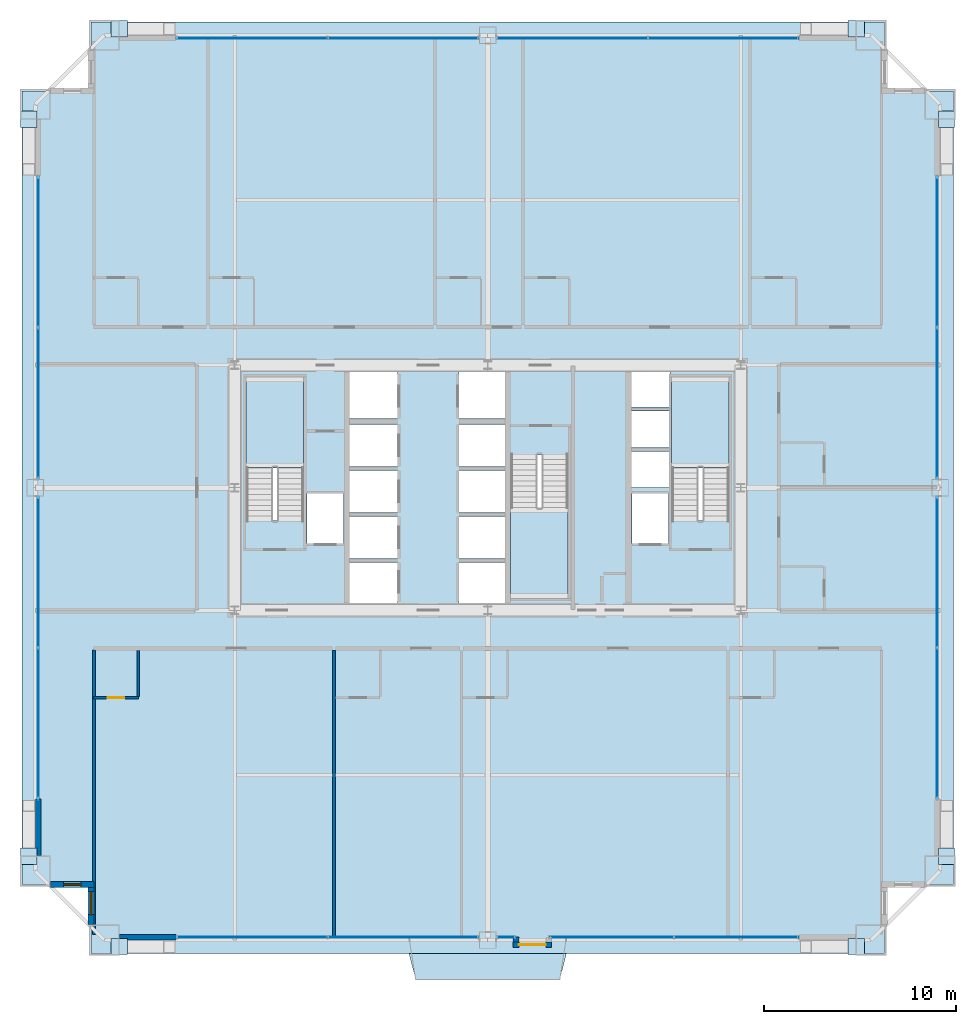
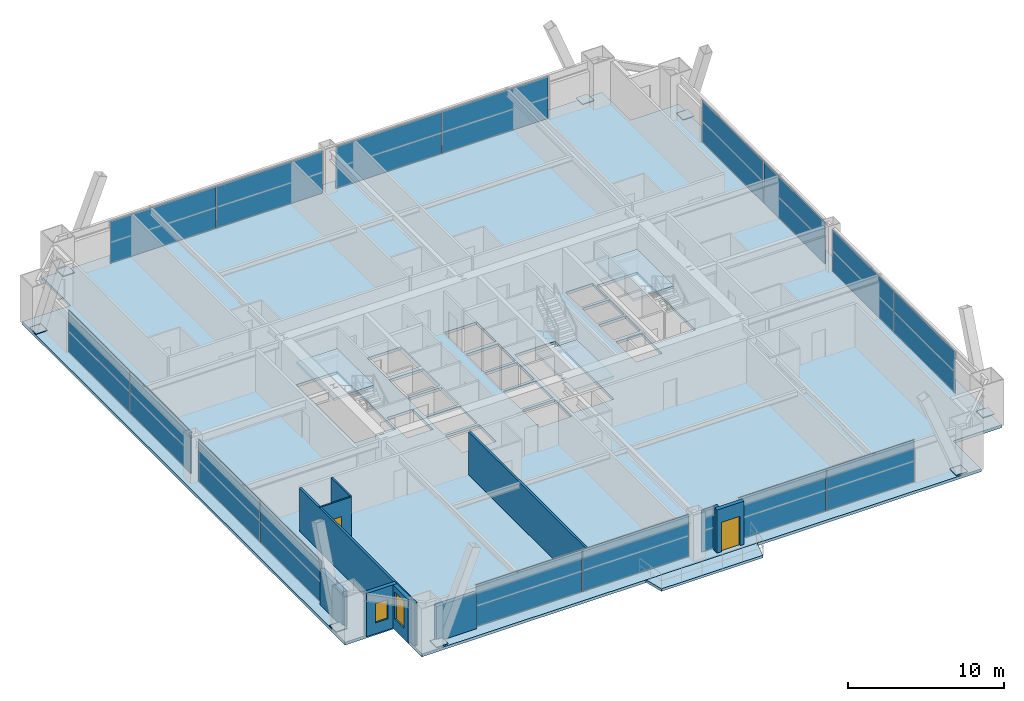
# One storey, part 36 of 41: 25 plates, 10 walls, 5 slabs, 2 doors, 2 windows, 4 openings, 12 elements without a shape of their own.
"""IFC4 building model written with IfcOpenShell, lengths in metres."""

from ifc_helpers import new_model, si_unit, direction, frame, frame_2d, origin, origin_2d, place, context, subcontext, project, spatial, polyline, rectangle, outline, extrude, source, transform, mapped, material, layer, layer_set, type_object, element, fill, aggregate, save


model = new_model("IFC4")

# Units and contexts
model_context = context("Model", 3, precision=1e-05, world=origin(), true_north=direction((0.0, 1.0)))
body_context = subcontext(model_context, "Body", "Model", "MODEL_VIEW")
ifc_project = project(units=[si_unit("LENGTHUNIT", "METRE"), si_unit("AREAUNIT", "SQUARE_METRE"), si_unit("VOLUMEUNIT", "CUBIC_METRE"), si_unit("PLANEANGLEUNIT", "RADIAN"), si_unit("MASSUNIT", "GRAM", prefix="KILO"), si_unit("THERMODYNAMICTEMPERATUREUNIT", "KELVIN"), si_unit("POWERUNIT", "WATT")], contexts=[model_context])

# Site, building, storey
site_placement = place(None, origin())
site = spatial("IfcSite", under=ifc_project, at=site_placement, CompositionType="ELEMENT")
building_placement = place(site_placement, origin())
building = spatial("IfcBuilding", under=site, at=building_placement, Name="Yuzanri Waterfront Tower", CompositionType="ELEMENT")
storey_placement = place(building_placement, frame((0.0, 0.0, 122.60009765625)))
storey = spatial("IfcBuildingStorey", under=building, at=storey_placement, Name="L32", CompositionType="ELEMENT", Elevation=122.60009765625)

# Slab
ifc_material_1 = material(Name="Concrete C40", Category="concrete")
ifc_layer_1 = layer(ifc_material_1, 0.199951171875)
ifc_layer_set_1 = layer_set([ifc_layer_1], Name="Concrete C40")
slab_type_1 = type_object("IfcSlabType", Name="Concrete C40 Cantilevered Engawa Wave Terrace Slab 200", PredefinedType="FLOOR", material=ifc_layer_set_1)
slab_1_placement = place(storey_placement, frame((0.0, 0.0, -0.2001953125)))
element("IfcSlab", 1, at=slab_1_placement, inside=storey, type_object=slab_type_1, Name="L32 S Cantilevered Engawa Terrace Slab", PredefinedType="FLOOR", context=body_context, shape_type="SweptSolid", body=[
    extrude(outline(polyline([(32.892578125, 1.5), (41.107421875, 1.5), (40.757568359375, 0.14208984375), (33.242431640625, 0.14208984375), (32.892578125, 1.5)])), origin(), (0.0, 0.0, 1.0), 0.2001953125),
])

# Stair, slab
ifc_material_2 = material(Name="Concrete C40", Category="concrete")
stair_type = type_object("IfcStairType", Name="Concrete C40 Core Dogleg Exit Stair", PredefinedType="HALF_TURN_STAIR", material=ifc_material_2)
stair_1_placement = place(storey_placement, origin())
stair_1 = element("IfcStair", 2, at=stair_1_placement, inside=storey, type_object=stair_type, Name="L32 Smoke-Proof Core Stair ST-01", PredefinedType="HALF_TURN_STAIR")
ifc_material_3 = material(Name="Concrete C40", Category="concrete")
ifc_layer_2 = layer(ifc_material_3, 0.179931640625)
ifc_layer_set_2 = layer_set([ifc_layer_2], Name="Concrete C40")
slab_type_2 = type_object("IfcSlabType", Name="Concrete C40 Stair Half-Landing Slab 180", PredefinedType="LANDING", material=ifc_layer_set_2)
slab_2_placement = place(storey_placement, frame((0.0, 0.0, 1.599853515625)))
slab_2 = element("IfcSlab", 3, at=slab_2_placement, type_object=slab_type_2, Name="ST-01 landing 1", PredefinedType="LANDING", context=body_context, shape_type="SweptSolid", body=[
    extrude(outline(polyline([(27.39990234375, 26.840087890625), (27.39990234375, 31.580078125), (24.39990234375, 31.580078125), (24.39990234375, 26.840087890625), (27.39990234375, 26.840087890625)])), origin(), (0.0, 0.0, 1.0), 0.199951171875),
])
aggregate(stair_1, [slab_2])

stair_2_placement = place(storey_placement, origin())
stair_2 = element("IfcStair", 4, at=stair_2_placement, inside=storey, type_object=stair_type, Name="L32 Smoke-Proof Core Stair ST-02", PredefinedType="HALF_TURN_STAIR")
slab_3_placement = place(storey_placement, frame((0.0, 0.0, 1.599853515625)))
slab_3 = element("IfcSlab", 5, at=slab_3_placement, type_object=slab_type_2, Name="ST-02 landing 1", PredefinedType="LANDING", context=body_context, shape_type="SweptSolid", body=[
    extrude(outline(polyline([(49.60009765625, 26.840087890625), (49.60009765625, 31.580078125), (46.60009765625, 31.580078125), (46.60009765625, 26.840087890625), (49.60009765625, 26.840087890625)])), origin(), (0.0, 0.0, 1.0), 0.199951171875),
])
aggregate(stair_2, [slab_3])

stair_3_placement = place(storey_placement, origin())
stair_3 = element("IfcStair", 6, at=stair_3_placement, inside=storey, type_object=stair_type, Name="L32 Smoke-Proof Core Stair ST-03", PredefinedType="HALF_TURN_STAIR")
slab_4_placement = place(storey_placement, frame((0.0, 0.0, 1.599853515625)))
slab_4 = element("IfcSlab", 7, at=slab_4_placement, type_object=slab_type_2, Name="ST-03 landing 1", PredefinedType="LANDING", context=body_context, shape_type="SweptSolid", body=[
    extrude(outline(polyline([(38.199951171875, 24.760009765625), (38.199951171875, 20.02001953125), (41.199951171875, 20.02001953125), (41.199951171875, 24.760009765625), (38.199951171875, 24.760009765625)])), origin(), (0.0, 0.0, 1.0), 0.199951171875),
])
aggregate(stair_3, [slab_4])

# Slab
ifc_material_4 = material(Name="Concrete C40", Category="concrete")
ifc_layer_3 = layer(ifc_material_4, 0.219970703125)
ifc_layer_set_3 = layer_set([ifc_layer_3], Name="Concrete C40")
slab_type_3 = type_object("IfcSlabType", Name="Concrete C40 Tower Typical Structural Floor Slab 220", PredefinedType="FLOOR", material=ifc_layer_set_3)
slab_5_placement = place(storey_placement, frame((0.0, 0.0, -0.22021484375)))
element("IfcSlab", 8, at=slab_5_placement, inside=storey, type_object=slab_type_3, Name="L32 Main Structural Floor Slab", PredefinedType="FLOOR", context=body_context, shape_type="SweptSolid", body=[
    extrude(outline(polyline([(16.300048828125, 1.5), (57.699951171875, 1.5), (57.699951171875, 5.10009765625), (61.300048828125, 5.10009765625), (61.300048828125, 46.5), (57.699951171875, 46.5), (57.699951171875, 50.10009765625), (16.300048828125, 50.10009765625), (16.300048828125, 46.5), (12.699951171875, 46.5), (12.699951171875, 5.10009765625), (16.300048828125, 5.10009765625), (16.300048828125, 1.5)]), holes=[polyline([(27.39990234375, 24.10009765625), (27.39990234375, 31.580078125), (24.39990234375, 31.580078125), (24.39990234375, 24.10009765625), (27.39990234375, 24.10009765625)]), polyline([(49.60009765625, 24.10009765625), (49.60009765625, 31.580078125), (46.60009765625, 31.580078125), (46.60009765625, 24.10009765625), (49.60009765625, 24.10009765625)]), polyline([(38.199951171875, 27.5), (38.199951171875, 20.02001953125), (41.199951171875, 20.02001953125), (41.199951171875, 27.5), (38.199951171875, 27.5)]), polyline([(27.56005859375, 22.89990234375), (29.47998046875, 22.89990234375), (29.47998046875, 25.5), (27.56005859375, 25.5), (27.56005859375, 22.89990234375)]), polyline([(44.52001953125, 22.89990234375), (46.43994140625, 22.89990234375), (46.43994140625, 25.5), (44.52001953125, 25.5), (44.52001953125, 22.89990234375)]), polyline([(29.800048828125, 19.699951171875), (32.300048828125, 19.699951171875), (32.300048828125, 21.89990234375), (29.800048828125, 21.89990234375), (29.800048828125, 19.699951171875)]), polyline([(29.800048828125, 22.10009765625), (32.300048828125, 22.10009765625), (32.300048828125, 24.300048828125), (29.800048828125, 24.300048828125), (29.800048828125, 22.10009765625)]), polyline([(29.800048828125, 24.5), (32.300048828125, 24.5), (32.300048828125, 26.699951171875), (29.800048828125, 26.699951171875), (29.800048828125, 24.5)]), polyline([(29.800048828125, 26.89990234375), (32.300048828125, 26.89990234375), (32.300048828125, 29.10009765625), (29.800048828125, 29.10009765625), (29.800048828125, 26.89990234375)]), polyline([(29.800048828125, 29.39990234375), (32.300048828125, 29.39990234375), (32.300048828125, 31.89990234375), (29.800048828125, 31.89990234375), (29.800048828125, 29.39990234375)]), polyline([(35.5, 19.699951171875), (37.89990234375, 19.699951171875), (37.89990234375, 21.89990234375), (35.5, 21.89990234375), (35.5, 19.699951171875)]), polyline([(35.5, 22.10009765625), (37.89990234375, 22.10009765625), (37.89990234375, 24.300048828125), (35.5, 24.300048828125), (35.5, 22.10009765625)]), polyline([(35.5, 24.5), (37.89990234375, 24.5), (37.89990234375, 26.699951171875), (35.5, 26.699951171875), (35.5, 24.5)]), polyline([(35.5, 26.89990234375), (37.89990234375, 26.89990234375), (37.89990234375, 29.10009765625), (35.5, 29.10009765625), (35.5, 26.89990234375)]), polyline([(35.5, 29.39990234375), (37.89990234375, 29.39990234375), (37.89990234375, 31.89990234375), (35.5, 31.89990234375), (35.5, 29.39990234375)]), polyline([(44.5, 25.800048828125), (46.5, 25.800048828125), (46.5, 27.699951171875), (44.5, 27.699951171875), (44.5, 25.800048828125)]), polyline([(44.5, 27.89990234375), (46.5, 27.89990234375), (46.5, 29.800048828125), (44.5, 29.800048828125), (44.5, 27.89990234375)]), polyline([(44.5, 30.0), (46.5, 30.0), (46.5, 31.89990234375), (44.5, 31.89990234375), (44.5, 30.0)])]), origin(), (0.0, 0.0, 1.0), 0.22021484375),
])

# Plates
ifc_material_5 = material(Name="Steel Q420GJC", Category="steel")
ifc_layer_4 = layer(ifc_material_5, 0.0400390625)
ifc_layer_set_4 = layer_set([ifc_layer_4], Name="Steel Q420GJC")
plate_type_1 = type_object("IfcPlateType", Name="Steel Q420GJC Mega-Brace Gusset and End-Cap Plate 40", PredefinedType="SHEET", material=ifc_layer_set_4)
shared_shape_1 = source(origin(), body_context, "Body", "SweptSolid", [
    extrude(rectangle(XDim=0.85009765625, YDim=0.85009765625, at=origin_2d()), origin(), (0.0, 0.0, 1.0), 0.0400390625),
])
for number, where, z_axis, x_axis, name in (
    (9, (17.780029296875, 1.860107421875, 0.159912109375), (0.0, 0.0, 1.0), (1.0, 0.0, 0.0), "L32 Mega-Brace Foot Cap Plate S-L"),
    (10, (56.219970703125, 1.860107421875, 0.159912109375), (0.0, 0.0, 1.0), (1.0, 0.0, 0.0), "L32 Mega-Brace Foot Cap Plate S-R"),
    (11, (17.780029296875, 49.739990234375, 0.159912109375), (0.0, 0.0, 1.0), (1.0, 0.0, 0.0), "L32 Mega-Brace Foot Cap Plate N-L"),
    (12, (56.219970703125, 49.739990234375, 0.159912109375), (0.0, 0.0, 1.0), (1.0, 0.0, 0.0), "L32 Mega-Brace Foot Cap Plate N-R"),
    (13, (13.06005859375, 6.580078125, 0.159912109375), (0.0, 0.0, 1.0), (1.0, 0.0, 0.0), "L32 Mega-Brace Foot Cap Plate W-L"),
    (14, (13.06005859375, 45.02001953125, 0.159912109375), (0.0, 0.0, 1.0), (1.0, 0.0, 0.0), "L32 Mega-Brace Foot Cap Plate W-R"),
    (15, (60.93994140625, 6.580078125, 0.159912109375), (0.0, 0.0, 1.0), (1.0, 0.0, 0.0), "L32 Mega-Brace Foot Cap Plate E-L"),
    (16, (60.93994140625, 45.02001953125, 0.159912109375), (0.0, 0.0, 1.0), (1.0, 0.0, 0.0), "L32 Mega-Brace Foot Cap Plate E-R"),
):
    element("IfcPlate", number, at=place(storey_placement, frame(where, z_axis=z_axis, x_axis=x_axis)), inside=storey, type_object=plate_type_1, Name=name, PredefinedType="SHEET", context=body_context, shape_type="MappedRepresentation", body=[
        mapped(shared_shape_1, transform((0.0, 0.0, 0.0), scale=1.0)),
    ])

# Curtain wall, plates
ifc_material_6 = material(Name="Anodized Architectural Bronze", Category="metal")
ifc_layer_5 = layer(ifc_material_6, 0.159912109375)
ifc_layer_set_5 = layer_set([ifc_layer_5], Name="Anodized Architectural Bronze")
curtain_wall_type = type_object("IfcCurtainWallType", Name="Anodized Bronze Hotel Upper-Tier Solar-Control Unitized Curtain Wall 7800", PredefinedType="NOTDEFINED", material=ifc_layer_set_5)
curtain_wall_1_placement = place(storey_placement, origin())
curtain_wall_1 = element("IfcCurtainWall", 17, at=curtain_wall_1_placement, inside=storey, type_object=curtain_wall_type, Name="L32 Curtain Wall CW-L32-SL", PredefinedType="NOTDEFINED")
ifc_material_7 = material(Name="Double-Silver Low-E Insulated Glass", Category="glass")
ifc_layer_6 = layer(ifc_material_7, 0.035888671875)
ifc_layer_set_6 = layer_set([ifc_layer_6], Name="Double-Silver Low-E Insulated Glass")
plate_type_2 = type_object("IfcPlateType", Name="Double Silver Low-E Insulated Vision Glass Panel 36", PredefinedType="CURTAIN_PANEL", material=ifc_layer_set_6)
shared_shape_2 = source(origin(), body_context, "Body", "SweptSolid", [
    extrude(rectangle(XDim=7.820068359375, YDim=0.035888671875, at=origin_2d()), origin(), (0.0, 0.0, 1.0), 3.280029296875),
])
plate_1_placement = place(storey_placement, frame((24.699951171875, 2.35009765625, 0.0498046875), z_axis=(0.0, 0.0, 1.0), x_axis=(1.0, 0.0, 0.0)))
plate_1 = element("IfcPlate", 18, at=plate_1_placement, type_object=plate_type_2, Name="CW-L32-SL Vision Glass Panel 01", PredefinedType="CURTAIN_PANEL", context=body_context, shape_type="MappedRepresentation", body=[
    mapped(shared_shape_2, transform((0.0, 0.0, 0.0), scale=1.0)),
])
plate_2_placement = place(storey_placement, frame((32.60009765625, 2.35009765625, 0.0498046875), z_axis=(0.0, 0.0, 1.0), x_axis=(1.0, 0.0, 0.0)))
plate_2 = element("IfcPlate", 19, at=plate_2_placement, type_object=plate_type_2, Name="CW-L32-SL Vision Glass Panel 02", PredefinedType="CURTAIN_PANEL", context=body_context, shape_type="MappedRepresentation", body=[
    mapped(shared_shape_2, transform((0.0, 0.0, 0.0), scale=1.0)),
])
aggregate(curtain_wall_1, [plate_1, plate_2])

curtain_wall_2_placement = place(storey_placement, origin())
curtain_wall_2 = element("IfcCurtainWall", 20, at=curtain_wall_2_placement, inside=storey, type_object=curtain_wall_type, Name="L32 Curtain Wall CW-L32-NL", PredefinedType="NOTDEFINED")
plate_3_placement = place(storey_placement, frame((24.699951171875, 49.25, 0.0498046875), z_axis=(0.0, 0.0, 1.0), x_axis=(1.0, 0.0, 0.0)))
plate_3 = element("IfcPlate", 21, at=plate_3_placement, type_object=plate_type_2, Name="CW-L32-NL Vision Glass Panel 01", PredefinedType="CURTAIN_PANEL", context=body_context, shape_type="MappedRepresentation", body=[
    mapped(shared_shape_2, transform((0.0, 0.0, 0.0), scale=1.0)),
])
plate_4_placement = place(storey_placement, frame((32.60009765625, 49.25, 0.0498046875), z_axis=(0.0, 0.0, 1.0), x_axis=(1.0, 0.0, 0.0)))
plate_4 = element("IfcPlate", 22, at=plate_4_placement, type_object=plate_type_2, Name="CW-L32-NL Vision Glass Panel 02", PredefinedType="CURTAIN_PANEL", context=body_context, shape_type="MappedRepresentation", body=[
    mapped(shared_shape_2, transform((0.0, 0.0, 0.0), scale=1.0)),
])
aggregate(curtain_wall_2, [plate_3, plate_4])

curtain_wall_3_placement = place(storey_placement, origin())
curtain_wall_3 = element("IfcCurtainWall", 23, at=curtain_wall_3_placement, inside=storey, type_object=curtain_wall_type, Name="L32 Curtain Wall CW-L32-NR", PredefinedType="NOTDEFINED")
plate_5_placement = place(storey_placement, frame((41.39990234375, 49.25, 0.0498046875), z_axis=(0.0, 0.0, 1.0), x_axis=(1.0, 0.0, 0.0)))
plate_5 = element("IfcPlate", 24, at=plate_5_placement, type_object=plate_type_2, Name="CW-L32-NR Vision Glass Panel 01", PredefinedType="CURTAIN_PANEL", context=body_context, shape_type="MappedRepresentation", body=[
    mapped(shared_shape_2, transform((0.0, 0.0, 0.0), scale=1.0)),
])
plate_6_placement = place(storey_placement, frame((49.300048828125, 49.25, 0.0498046875), z_axis=(0.0, 0.0, 1.0), x_axis=(1.0, 0.0, 0.0)))
plate_6 = element("IfcPlate", 25, at=plate_6_placement, type_object=plate_type_2, Name="CW-L32-NR Vision Glass Panel 02", PredefinedType="CURTAIN_PANEL", context=body_context, shape_type="MappedRepresentation", body=[
    mapped(shared_shape_2, transform((0.0, 0.0, 0.0), scale=1.0)),
])
aggregate(curtain_wall_3, [plate_5, plate_6])

curtain_wall_4_placement = place(storey_placement, origin())
curtain_wall_4 = element("IfcCurtainWall", 26, at=curtain_wall_4_placement, inside=storey, type_object=curtain_wall_type, Name="L32 Curtain Wall CW-L32-WL", PredefinedType="NOTDEFINED")
plate_7_placement = place(storey_placement, frame((13.550048828125, 13.5, 0.0498046875), z_axis=(0.0, 0.0, 1.0), x_axis=(0.0, 1.0, 0.0)))
plate_7 = element("IfcPlate", 27, at=plate_7_placement, type_object=plate_type_2, Name="CW-L32-WL Vision Glass Panel 01", PredefinedType="CURTAIN_PANEL", context=body_context, shape_type="MappedRepresentation", body=[
    mapped(shared_shape_2, transform((0.0, 0.0, 0.0), scale=1.0)),
])
plate_8_placement = place(storey_placement, frame((13.550048828125, 21.39990234375, 0.0498046875), z_axis=(0.0, 0.0, 1.0), x_axis=(0.0, 1.0, 0.0)))
plate_8 = element("IfcPlate", 28, at=plate_8_placement, type_object=plate_type_2, Name="CW-L32-WL Vision Glass Panel 02", PredefinedType="CURTAIN_PANEL", context=body_context, shape_type="MappedRepresentation", body=[
    mapped(shared_shape_2, transform((0.0, 0.0, 0.0), scale=1.0)),
])
aggregate(curtain_wall_4, [plate_7, plate_8])

curtain_wall_5_placement = place(storey_placement, origin())
curtain_wall_5 = element("IfcCurtainWall", 29, at=curtain_wall_5_placement, inside=storey, type_object=curtain_wall_type, Name="L32 Curtain Wall CW-L32-WR", PredefinedType="NOTDEFINED")
plate_9_placement = place(storey_placement, frame((13.550048828125, 30.199951171875, 0.0498046875), z_axis=(0.0, 0.0, 1.0), x_axis=(0.0, 1.0, 0.0)))
plate_9 = element("IfcPlate", 30, at=plate_9_placement, type_object=plate_type_2, Name="CW-L32-WR Vision Glass Panel 01", PredefinedType="CURTAIN_PANEL", context=body_context, shape_type="MappedRepresentation", body=[
    mapped(shared_shape_2, transform((0.0, 0.0, 0.0), scale=1.0)),
])
plate_10_placement = place(storey_placement, frame((13.550048828125, 38.10009765625, 0.0498046875), z_axis=(0.0, 0.0, 1.0), x_axis=(0.0, 1.0, 0.0)))
plate_10 = element("IfcPlate", 31, at=plate_10_placement, type_object=plate_type_2, Name="CW-L32-WR Vision Glass Panel 02", PredefinedType="CURTAIN_PANEL", context=body_context, shape_type="MappedRepresentation", body=[
    mapped(shared_shape_2, transform((0.0, 0.0, 0.0), scale=1.0)),
])
aggregate(curtain_wall_5, [plate_9, plate_10])

curtain_wall_6_placement = place(storey_placement, origin())
curtain_wall_6 = element("IfcCurtainWall", 32, at=curtain_wall_6_placement, inside=storey, type_object=curtain_wall_type, Name="L32 Curtain Wall CW-L32-EL", PredefinedType="NOTDEFINED")
plate_11_placement = place(storey_placement, frame((60.449951171875, 13.5, 0.0498046875), z_axis=(0.0, 0.0, 1.0), x_axis=(0.0, 1.0, 0.0)))
plate_11 = element("IfcPlate", 33, at=plate_11_placement, type_object=plate_type_2, Name="CW-L32-EL Vision Glass Panel 01", PredefinedType="CURTAIN_PANEL", context=body_context, shape_type="MappedRepresentation", body=[
    mapped(shared_shape_2, transform((0.0, 0.0, 0.0), scale=1.0)),
])
plate_12_placement = place(storey_placement, frame((60.449951171875, 21.39990234375, 0.0498046875), z_axis=(0.0, 0.0, 1.0), x_axis=(0.0, 1.0, 0.0)))
plate_12 = element("IfcPlate", 34, at=plate_12_placement, type_object=plate_type_2, Name="CW-L32-EL Vision Glass Panel 02", PredefinedType="CURTAIN_PANEL", context=body_context, shape_type="MappedRepresentation", body=[
    mapped(shared_shape_2, transform((0.0, 0.0, 0.0), scale=1.0)),
])
aggregate(curtain_wall_6, [plate_11, plate_12])

curtain_wall_7_placement = place(storey_placement, origin())
curtain_wall_7 = element("IfcCurtainWall", 35, at=curtain_wall_7_placement, inside=storey, type_object=curtain_wall_type, Name="L32 Curtain Wall CW-L32-ER", PredefinedType="NOTDEFINED")
plate_13_placement = place(storey_placement, frame((60.449951171875, 30.199951171875, 0.0498046875), z_axis=(0.0, 0.0, 1.0), x_axis=(0.0, 1.0, 0.0)))
plate_13 = element("IfcPlate", 36, at=plate_13_placement, type_object=plate_type_2, Name="CW-L32-ER Vision Glass Panel 01", PredefinedType="CURTAIN_PANEL", context=body_context, shape_type="MappedRepresentation", body=[
    mapped(shared_shape_2, transform((0.0, 0.0, 0.0), scale=1.0)),
])
plate_14_placement = place(storey_placement, frame((60.449951171875, 38.10009765625, 0.0498046875), z_axis=(0.0, 0.0, 1.0), x_axis=(0.0, 1.0, 0.0)))
plate_14 = element("IfcPlate", 37, at=plate_14_placement, type_object=plate_type_2, Name="CW-L32-ER Vision Glass Panel 02", PredefinedType="CURTAIN_PANEL", context=body_context, shape_type="MappedRepresentation", body=[
    mapped(shared_shape_2, transform((0.0, 0.0, 0.0), scale=1.0)),
])
aggregate(curtain_wall_7, [plate_13, plate_14])

# Curtain wall, plate
curtain_wall_8_placement = place(storey_placement, origin())
curtain_wall_8 = element("IfcCurtainWall", 38, at=curtain_wall_8_placement, inside=storey, type_object=curtain_wall_type, Name="L32 Curtain Wall CW-L32-SR1", PredefinedType="NOTDEFINED")
shared_shape_3 = source(origin(), body_context, "Body", "SweptSolid", [
    extrude(rectangle(XDim=0.948974609375, YDim=0.035888671875, at=origin_2d()), origin(), (0.0, 0.0, 1.0), 3.280029296875),
])
plate_15_placement = place(storey_placement, frame((37.964599609375, 2.35009765625, 0.0498046875), z_axis=(0.0, 0.0, 1.0), x_axis=(1.0, 0.0, 0.0)))
plate_15 = element("IfcPlate", 39, at=plate_15_placement, type_object=plate_type_2, Name="CW-L32-SR1 Vision Glass Panel 01", PredefinedType="CURTAIN_PANEL", context=body_context, shape_type="MappedRepresentation", body=[
    mapped(shared_shape_3, transform((0.0, 0.0, 0.0), scale=1.0)),
])
aggregate(curtain_wall_8, [plate_15])

# Curtain wall, plates
curtain_wall_9_placement = place(storey_placement, origin())
curtain_wall_9 = element("IfcCurtainWall", 40, at=curtain_wall_9_placement, inside=storey, type_object=curtain_wall_type, Name="L32 Curtain Wall CW-L32-SR2", PredefinedType="NOTDEFINED")
shared_shape_4 = source(origin(), body_context, "Body", "SweptSolid", [
    extrude(rectangle(XDim=6.45556640625, YDim=0.035888671875, at=origin_2d()), origin(), (0.0, 0.0, 1.0), 3.280029296875),
])
plate_16_placement = place(storey_placement, frame((43.44677734375, 2.35009765625, 0.0498046875), z_axis=(0.0, 0.0, 1.0), x_axis=(1.0, 0.0, 0.0)))
plate_16 = element("IfcPlate", 41, at=plate_16_placement, type_object=plate_type_2, Name="CW-L32-SR2 Vision Glass Panel 01", PredefinedType="CURTAIN_PANEL", context=body_context, shape_type="MappedRepresentation", body=[
    mapped(shared_shape_4, transform((0.0, 0.0, 0.0), scale=1.0)),
])
plate_17_placement = place(storey_placement, frame((49.982421875, 2.35009765625, 0.0498046875), z_axis=(0.0, 0.0, 1.0), x_axis=(1.0, 0.0, 0.0)))
plate_17 = element("IfcPlate", 42, at=plate_17_placement, type_object=plate_type_2, Name="CW-L32-SR2 Vision Glass Panel 02", PredefinedType="CURTAIN_PANEL", context=body_context, shape_type="MappedRepresentation", body=[
    mapped(shared_shape_4, transform((0.0, 0.0, 0.0), scale=1.0)),
])
aggregate(curtain_wall_9, [plate_16, plate_17])

# Wall, opening, door
ifc_material_8 = material(Name="Moisture-Resistant Gypsum Stud Wall", Category="gypsum")
ifc_layer_7 = layer(ifc_material_8, 0.1201171875)
ifc_layer_set_7 = layer_set([ifc_layer_7], Name="Moisture-Resistant Gypsum Stud Wall")
wall_type_1 = type_object("IfcWallType", Name="Bathroom and Kitchen Wet Partition 120", PredefinedType="PARTITIONING", material=ifc_layer_set_7)
wall_1_placement = place(storey_placement, frame((16.43994140625, 14.840087890625, 0.0), z_axis=(0.0, 0.0, 1.0), x_axis=(1.0, 0.0, 0.0)))
wall_1 = element("IfcWall", 43, at=wall_1_placement, inside=storey, type_object=wall_type_1, Name="L32 Partition UW-L32-S1-BS", PredefinedType="PARTITIONING", context=body_context, shape_type="SweptSolid", body=[
    extrude(rectangle(XDim=2.330078125, YDim=0.1201171875, at=frame_2d((1.1650390625, 0.0))), origin(), (0.0, 0.0, 1.0), 3.3798828125),
])
opening_1_placement = place(wall_1_placement, frame((0.739990234375, 0.0, 0.0)))
opening_1 = element("IfcOpeningElement", 44, at=opening_1_placement, cuts=wall_1, Name="Opening ID-0850", PredefinedType="OPENING", context=body_context, shape_type="SweptSolid", body=[
    extrude(rectangle(XDim=0.85009765625, YDim=2.10009765625, at=frame_2d((0.425048828125, 1.050048828125))), frame((0.0, 0.074951171875, 0.0), z_axis=(0.0, -1.0, 0.0), x_axis=(1.0, 0.0, 0.0)), (0.0, 0.0, 1.0), 0.14990234375),
])
ifc_material_9 = material(Name="Moisture-Resistant Lacquered Timber", Category="wood")
door_type_1 = type_object("IfcDoorType", Name="En-Suite Bathroom and Kitchen Swing Door 850x2100", OperationType="NOTDEFINED", PredefinedType="DOOR", material=ifc_material_9)
shared_shape_5 = source(origin(), body_context, "Body", "SweptSolid", [
    extrude(rectangle(XDim=0.85009765625, YDim=2.10009765625, at=frame_2d((0.425048828125, 1.050048828125))), frame((0.0, 0.02490234375, 0.0), z_axis=(0.0, -1.0, 0.0), x_axis=(1.0, 0.0, 0.0)), (0.0, 0.0, 1.0), 0.050048828125),
])
door_1_placement = place(opening_1_placement, origin())
door_1 = element("IfcDoor", 45, at=door_1_placement, inside=storey, type_object=door_type_1, Name="L32 Guest En-Suite Door", OperationType="SINGLE_SWING_RIGHT", OverallHeight=2.10009765625, OverallWidth=0.85009765625, PredefinedType="DOOR", context=body_context, shape_type="MappedRepresentation", body=[
    mapped(shared_shape_5, transform((0.0, 0.0, 0.0), scale=1.0)),
])
fill(opening_1, door_1)

# Wall, opening, window
ifc_material_10 = material(Name="Honed Chongqing Dark Basalt Stone", Category="masonry")
ifc_layer_8 = layer(ifc_material_10, 0.300048828125)
ifc_layer_set_8 = layer_set([ifc_layer_8], Name="Honed Chongqing Dark Basalt Stone")
wall_type_2 = type_object("IfcWallType", Name="Bronze Rainscreen Insulated Spandrel Portal Wall 300", PredefinedType="SOLIDWALL", material=ifc_layer_set_8)
wall_2_placement = place(storey_placement, frame((14.199951171875, 5.10009765625, 0.0), z_axis=(0.0, 0.0, 1.0), x_axis=(1.0, 0.0, 0.0)))
wall_2 = element("IfcWall", 46, at=wall_2_placement, inside=storey, type_object=wall_type_2, Name="L32 Notched Corner Masonry Wall SW-X", PredefinedType="SOLIDWALL", context=body_context, shape_type="SweptSolid", body=[
    extrude(rectangle(XDim=2.25, YDim=0.300048828125, at=frame_2d((1.125, 0.0))), origin(), (0.0, 0.0, 1.0), 3.3798828125),
])
opening_2_placement = place(wall_2_placement, frame((0.675048828125, 0.0, 0.85009765625)))
opening_2 = element("IfcOpeningElement", 47, at=opening_2_placement, cuts=wall_2, Name="Opening WN-05", PredefinedType="OPENING", context=body_context, shape_type="SweptSolid", body=[
    extrude(rectangle(XDim=0.89990234375, YDim=1.5, at=frame_2d((0.449951171875, 0.75))), frame((0.0, 0.1650390625, 0.0), z_axis=(0.0, -1.0, 0.0), x_axis=(1.0, 0.0, 0.0)), (0.0, 0.0, 1.0), 0.329833984375),
])
ifc_material_11 = material(Name="Double-Silver Low-E Insulated Glass", Category="glass")
window_type_1 = type_object("IfcWindowType", Name="Anodized Bronze Service and Stairwell Smoke-Vent Window 900x1500", PartitioningType="SINGLE_PANEL", PredefinedType="WINDOW", material=ifc_material_11)
shared_shape_6 = source(origin(), body_context, "Body", "SweptSolid", [
    extrude(rectangle(XDim=0.89990234375, YDim=1.5, at=frame_2d((0.449951171875, 0.75))), frame((0.0, 0.030029296875, 0.0), z_axis=(0.0, -1.0, 0.0), x_axis=(1.0, 0.0, 0.0)), (0.0, 0.0, 1.0), 0.06005859375),
])
window_1_placement = place(opening_2_placement, origin())
window_1 = element("IfcWindow", 48, at=window_1_placement, inside=storey, type_object=window_type_1, Name="L32 Notched Corner Window SW-X", OverallHeight=1.5, OverallWidth=0.89990234375, PartitioningType="SINGLE_PANEL", PredefinedType="WINDOW", context=body_context, shape_type="MappedRepresentation", body=[
    mapped(shared_shape_6, transform((0.0, 0.0, 0.0), scale=1.0)),
])
fill(opening_2, window_1)

wall_3_placement = place(storey_placement, frame((16.300048828125, 5.25, 0.0), z_axis=(0.0, 0.0, 1.0), x_axis=(0.0, -1.0, 0.0)))
wall_3 = element("IfcWall", 49, at=wall_3_placement, inside=storey, type_object=wall_type_2, Name="L32 Notched Corner Masonry Wall SW-Y", PredefinedType="SOLIDWALL", context=body_context, shape_type="SweptSolid", body=[
    extrude(rectangle(XDim=2.25, YDim=0.300048828125, at=frame_2d((1.125, 0.0))), origin(), (0.0, 0.0, 1.0), 3.3798828125),
])
opening_3_placement = place(wall_3_placement, frame((0.52490234375, 0.0, 0.85009765625)))
opening_3 = element("IfcOpeningElement", 50, at=opening_3_placement, cuts=wall_3, Name="Opening WN-02", PredefinedType="OPENING", context=body_context, shape_type="SweptSolid", body=[
    extrude(rectangle(XDim=1.199951171875, YDim=2.10009765625, at=frame_2d((0.60009765625, 1.050048828125))), frame((0.0, 0.1650390625, 0.0), z_axis=(0.0, -1.0, 0.0), x_axis=(1.0, 0.0, 0.0)), (0.0, 0.0, 1.0), 0.329833984375),
])
ifc_material_12 = material(Name="Double-Silver Low-E Insulated Glass", Category="glass")
window_type_2 = type_object("IfcWindowType", Name="Anodized Bronze Notched Corner Deep-Set Slot Window 1200x2100", PartitioningType="SINGLE_PANEL", PredefinedType="WINDOW", material=ifc_material_12)
shared_shape_7 = source(origin(), body_context, "Body", "SweptSolid", [
    extrude(rectangle(XDim=1.199951171875, YDim=2.10009765625, at=frame_2d((0.60009765625, 1.050048828125))), frame((0.0, 0.030029296875, 0.0), z_axis=(0.0, -1.0, 0.0), x_axis=(1.0, 0.0, 0.0)), (0.0, 0.0, 1.0), 0.06005859375),
])
window_2_placement = place(opening_3_placement, origin())
window_2 = element("IfcWindow", 51, at=window_2_placement, inside=storey, type_object=window_type_2, Name="L32 Notched Corner Window SW-Y", OverallHeight=2.10009765625, OverallWidth=1.199951171875, PartitioningType="SINGLE_PANEL", PredefinedType="WINDOW", context=body_context, shape_type="MappedRepresentation", body=[
    mapped(shared_shape_7, transform((0.0, 0.0, 0.0), scale=1.0)),
])
fill(opening_3, window_2)

# Wall, opening, door
wall_4_placement = place(storey_placement, frame((38.3291015625, 1.949951171875, 0.0), z_axis=(0.0, 0.0, 1.0), x_axis=(1.0, 0.0, 0.0)))
wall_4 = element("IfcWall", 52, at=wall_4_placement, inside=storey, type_object=wall_type_2, Name="L32 S Terrace Door Portal Wall", PredefinedType="SOLIDWALL", context=body_context, shape_type="SweptSolid", body=[
    extrude(rectangle(XDim=2.0, YDim=0.300048828125, at=frame_2d((1.0, 0.0))), origin(), (0.0, 0.0, 1.0), 3.3798828125),
])
opening_4_placement = place(wall_4_placement, frame((0.300048828125, 0.0, 0.0)))
opening_4 = element("IfcOpeningElement", 53, at=opening_4_placement, cuts=wall_4, Name="Opening TD-1400", PredefinedType="OPENING", context=body_context, shape_type="SweptSolid", body=[
    extrude(rectangle(XDim=1.39990234375, YDim=2.300048828125, at=frame_2d((0.699951171875, 1.14990234375))), frame((0.0, 0.1650390625, 0.0), z_axis=(0.0, -1.0, 0.0), x_axis=(1.0, 0.0, 0.0)), (0.0, 0.0, 1.0), 0.329833984375),
])
ifc_material_13 = material(Name="Anodized Architectural Bronze", Category="metal")
door_type_2 = type_object("IfcDoorType", Name="Anodized Bronze Balcony and Terrace Glazed Double Door 1400x2300", OperationType="NOTDEFINED", PredefinedType="DOOR", material=ifc_material_13)
shared_shape_8 = source(origin(), body_context, "Body", "SweptSolid", [
    extrude(rectangle(XDim=1.39990234375, YDim=2.300048828125, at=frame_2d((0.699951171875, 1.14990234375))), frame((0.0, 0.02490234375, 0.0), z_axis=(0.0, -1.0, 0.0), x_axis=(1.0, 0.0, 0.0)), (0.0, 0.0, 1.0), 0.050048828125),
])
door_2_placement = place(opening_4_placement, origin())
door_2 = element("IfcDoor", 54, at=door_2_placement, inside=storey, type_object=door_type_2, Name="L32 S Terrace Glazed Double Door", OperationType="DOUBLE_DOOR_SINGLE_SWING", OverallHeight=2.300048828125, OverallWidth=1.39990234375, PredefinedType="DOOR", context=body_context, shape_type="MappedRepresentation", body=[
    mapped(shared_shape_8, transform((0.0, 0.0, 0.0), scale=1.0)),
])
fill(opening_4, door_2)

# Walls
shared_shape_9 = source(origin(), body_context, "Body", "SweptSolid", [
    extrude(rectangle(XDim=0.25, YDim=0.300048828125, at=frame_2d((0.125, 0.0))), origin(), (0.0, 0.0, 1.0), 3.3798828125),
])
wall_5_placement = place(storey_placement, frame((38.47900390625, 2.35009765625, 0.0), z_axis=(0.0, 0.0, 1.0), x_axis=(0.0, -1.0, 0.0)))
element("IfcWall", 55, at=wall_5_placement, inside=storey, type_object=wall_type_2, Name="L32 S Terrace Portal Left Return", PredefinedType="SOLIDWALL", context=body_context, shape_type="MappedRepresentation", body=[
    mapped(shared_shape_9, transform((0.0, 0.0, 0.0), scale=1.0)),
])
shared_shape_10 = source(origin(), body_context, "Body", "SweptSolid", [
    extrude(rectangle(XDim=2.949951171875, YDim=0.300048828125, at=frame_2d((1.47509765625, 0.0))), origin(), (0.0, 0.0, 1.0), 2.77490234375),
])
for number, where, z_axis, x_axis, name in (
    (56, (17.800048828125, 2.35009765625, 0.0), (0.0, 0.0, 1.0), (1.0, 0.0, 0.0), "L32 S Left Braced Masonry Shoulder"),
    (57, (13.550048828125, 6.60009765625, 0.0), (0.0, 0.0, 1.0), (0.0, 1.0, 0.0), "L32 W Left Braced Masonry Shoulder"),
):
    element("IfcWall", number, at=place(storey_placement, frame(where, z_axis=z_axis, x_axis=x_axis)), inside=storey, type_object=wall_type_2, Name=name, PredefinedType="SOLIDWALL", context=body_context, shape_type="MappedRepresentation", body=[
        mapped(shared_shape_10, transform((0.0, 0.0, 0.0), scale=1.0)),
    ])
shared_shape_11 = source(origin(), body_context, "Body", "SweptSolid", [
    extrude(rectangle(XDim=2.420166015625, YDim=0.1201171875, at=frame_2d((1.2099609375, 0.0))), origin(), (0.0, 0.0, 1.0), 3.3798828125),
])
wall_6_placement = place(storey_placement, frame((18.77001953125, 14.89990234375, 0.0), z_axis=(0.0, 0.0, 1.0), x_axis=(0.0, 1.0, 0.0)))
element("IfcWall", 58, at=wall_6_placement, inside=storey, type_object=wall_type_1, Name="L32-S1 En-Suite Side Wall", PredefinedType="PARTITIONING", context=body_context, shape_type="MappedRepresentation", body=[
    mapped(shared_shape_11, transform((0.0, 0.0, 0.0), scale=1.0)),
])
ifc_material_14 = material(Name="Gypsum Fireboard Acoustic Stud Wall", Category="gypsum")
ifc_layer_9 = layer(ifc_material_14, 0.159912109375)
ifc_layer_set_9 = layer_set([ifc_layer_9], Name="Gypsum Fireboard Acoustic Stud Wall")
wall_type_3 = type_object("IfcWallType", Name="Acoustic Suite Demising Partition 160", PredefinedType="PARTITIONING", material=ifc_layer_set_9)
shared_shape_12 = source(origin(), body_context, "Body", "SweptSolid", [
    extrude(rectangle(XDim=14.969970703125, YDim=0.159912109375, at=frame_2d((7.48486328125, 0.0))), origin(), (0.0, 0.0, 1.0), 3.3798828125),
])
wall_7_placement = place(storey_placement, frame((28.98193359375, 2.35009765625, 0.0), z_axis=(0.0, 0.0, 1.0), x_axis=(0.0, 1.0, 0.0)))
element("IfcWall", 59, at=wall_7_placement, inside=storey, type_object=wall_type_3, Name="L32-S1 Party Wall", PredefinedType="PARTITIONING", context=body_context, shape_type="MappedRepresentation", body=[
    mapped(shared_shape_12, transform((0.0, 0.0, 0.0), scale=1.0)),
])
shared_shape_13 = source(origin(), body_context, "Body", "SweptSolid", [
    extrude(rectangle(XDim=14.820068359375, YDim=0.159912109375, at=frame_2d((7.41015625, 0.0))), origin(), (0.0, 0.0, 1.0), 3.3798828125),
])
wall_8_placement = place(storey_placement, frame((16.449951171875, 2.5, 0.0), z_axis=(0.0, 0.0, 1.0), x_axis=(0.0, 1.0, 0.0)))
element("IfcWall", 60, at=wall_8_placement, inside=storey, type_object=wall_type_3, Name="L32 South Band West End Wall", PredefinedType="PARTITIONING", context=body_context, shape_type="MappedRepresentation", body=[
    mapped(shared_shape_13, transform((0.0, 0.0, 0.0), scale=1.0)),
])

save(model, "model.ifc")
